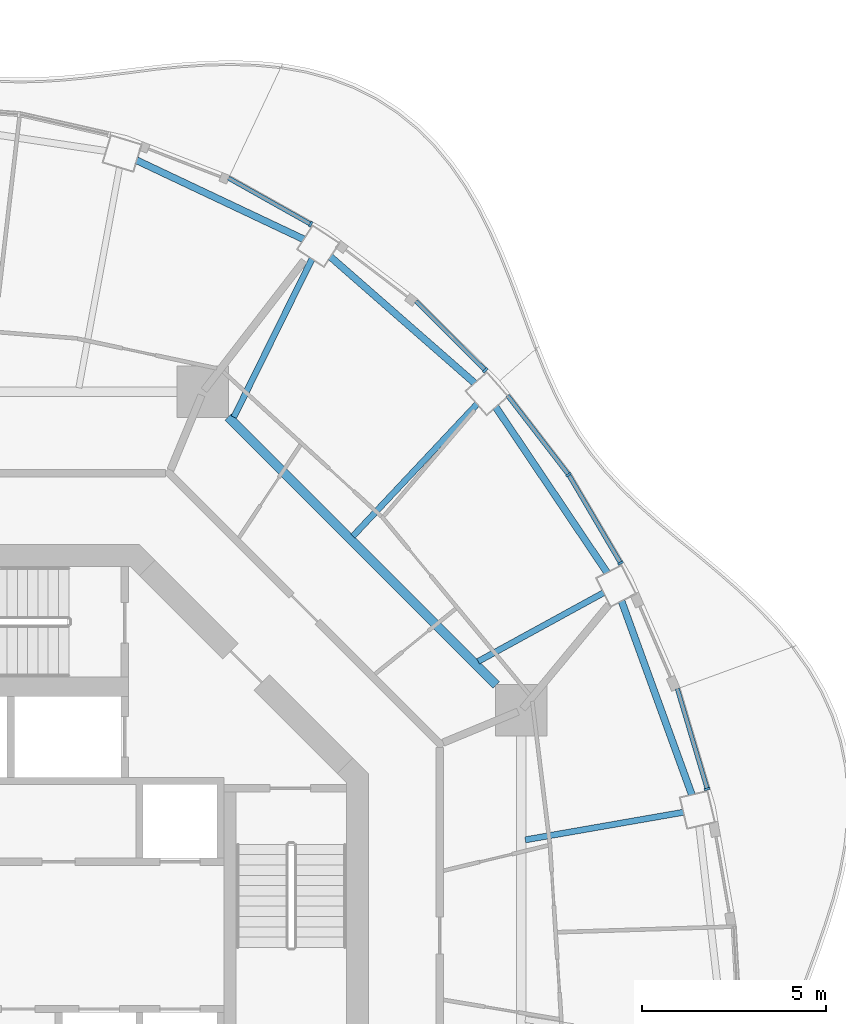
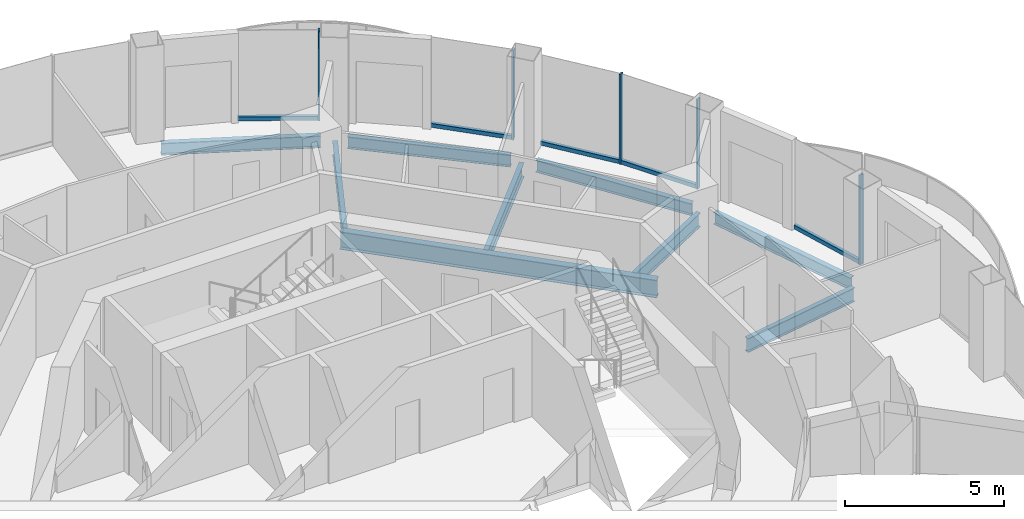
# One storey, part 7 of 18: 10 members, 9 beams, 5 elements without a shape of their own.
"""IFC4 building model written with IfcOpenShell, lengths in metres."""

from ifc_helpers import new_model, si_unit, direction, frame, origin, origin_2d, place, context, subcontext, project, spatial, rectangle, i_section, extrude, material, layer, layer_set, material_profile, profile_set, type_object, element, aggregate, save


model = new_model("IFC4")

# Units and contexts
model_context = context("Model", 3, precision=1e-05, world=origin(), true_north=direction((0.0, 1.0)))
body_context = subcontext(model_context, "Body", "Model", "MODEL_VIEW")
ifc_project = project(units=[si_unit("LENGTHUNIT", "METRE"), si_unit("AREAUNIT", "SQUARE_METRE"), si_unit("VOLUMEUNIT", "CUBIC_METRE"), si_unit("PLANEANGLEUNIT", "RADIAN"), si_unit("MASSUNIT", "GRAM", prefix="KILO")], contexts=[model_context])

# Site, building, storey
site_placement = place(None, origin())
site = spatial("IfcSite", under=ifc_project, at=site_placement, CompositionType="ELEMENT")
building_placement = place(site_placement, origin())
building = spatial("IfcBuilding", under=site, at=building_placement, Name="Nagisa Residences", CompositionType="ELEMENT")
storey_placement = place(building_placement, frame((0.0, 0.0, 284.39990234375)))
storey = spatial("IfcBuildingStorey", under=building, at=storey_placement, Name="L72", CompositionType="ELEMENT", Elevation=284.39990234375)

# Curtain wall, member
ifc_material_1 = material(Name="Concrete-coloured aluminium curtain wall system", Category="concrete")
ifc_layer = layer(ifc_material_1, 0.159912109375)
ifc_layer_set = layer_set([ifc_layer], Name="CW1 CURTAIN WALL")
curtain_wall_type = type_object("IfcCurtainWallType", Name="CW1 CURTAIN WALL", PredefinedType="NOTDEFINED", material=ifc_layer_set)
curtain_wall_1_placement = place(storey_placement, origin())
curtain_wall_1 = element("IfcCurtainWall", 1, at=curtain_wall_1_placement, inside=storey, type_object=curtain_wall_type, Name="cw:CW1:L72:02", PredefinedType="NOTDEFINED")
ifc_material_2 = material(Name="Concrete-coloured aluminium", Category="concrete")
ifc_material_profile_1 = material_profile(ifc_material_2, rectangle(XDim=0.159912109375, YDim=0.06005859375, at=origin_2d()), Name="CW1 MULLION 160x60")
ifc_profile_set_1 = profile_set([ifc_material_profile_1], Name="Concrete-coloured aluminium")
member_type_1 = type_object("IfcMemberType", Name="CW1 MULLION 160x60", PredefinedType="MULLION", material=ifc_profile_set_1)
member_1_placement = place(storey_placement, frame((19.83544921875, 3.9814453125, 0.0), z_axis=(0.0, 0.0, 1.0), x_axis=(-0.958271310082, -0.285860274038, 0.0)))
member_1 = element("IfcMember", 2, at=member_1_placement, type_object=member_type_1, Name="CW1 mullion", PredefinedType="MULLION", context=body_context, shape_type="SweptSolid", body=[
    extrude(rectangle(XDim=0.159912109375, YDim=0.06005859375, at=origin_2d()), origin(), (0.0, 0.0, 1.0), 3.440185546875),
])

curtain_wall_2_placement = place(storey_placement, origin())
curtain_wall_2 = element("IfcCurtainWall", 3, at=curtain_wall_2_placement, inside=storey, type_object=curtain_wall_type, Name="cw:CW1:L72:04", PredefinedType="NOTDEFINED")
member_2_placement = place(storey_placement, frame((17.4775390625, 10.125732421875, 0.0), z_axis=(0.0, 0.0, 1.0), x_axis=(-0.862328898214, -0.506348567002, 0.0)))
member_2 = element("IfcMember", 4, at=member_2_placement, type_object=member_type_1, Name="CW1 mullion", PredefinedType="MULLION", context=body_context, shape_type="SweptSolid", body=[
    extrude(rectangle(XDim=0.159912109375, YDim=0.06005859375, at=origin_2d()), origin(), (0.0, 0.0, 1.0), 3.440185546875),
])

curtain_wall_3_placement = place(storey_placement, origin())
curtain_wall_3 = element("IfcCurtainWall", 5, at=curtain_wall_3_placement, inside=storey, type_object=curtain_wall_type, Name="cw:CW1:L72:05", PredefinedType="NOTDEFINED")
member_3_placement = place(storey_placement, frame((16.06396484375, 12.52685546875, 0.0), z_axis=(0.0, 0.0, 1.0), x_axis=(-0.792070340816, -0.610429828235, 0.0)))
member_3 = element("IfcMember", 6, at=member_3_placement, type_object=member_type_1, Name="CW1 mullion", PredefinedType="MULLION", context=body_context, shape_type="SweptSolid", body=[
    extrude(rectangle(XDim=0.159912109375, YDim=0.06005859375, at=origin_2d()), origin(), (0.0, 0.0, 1.0), 3.440185546875),
])

curtain_wall_4_placement = place(storey_placement, origin())
curtain_wall_4 = element("IfcCurtainWall", 7, at=curtain_wall_4_placement, inside=storey, type_object=curtain_wall_type, Name="cw:CW1:L72:06", PredefinedType="NOTDEFINED")
member_4_placement = place(storey_placement, frame((13.798583984375, 15.36572265625, 0.0), z_axis=(0.0, 0.0, 1.0), x_axis=(-0.706376885714, -0.707835924016, 0.0)))
member_4 = element("IfcMember", 8, at=member_4_placement, type_object=member_type_1, Name="CW1 mullion", PredefinedType="MULLION", context=body_context, shape_type="SweptSolid", body=[
    extrude(rectangle(XDim=0.159912109375, YDim=0.06005859375, at=origin_2d()), origin(), (0.0, 0.0, 1.0), 3.440185546875),
])

curtain_wall_5_placement = place(storey_placement, origin())
curtain_wall_5 = element("IfcCurtainWall", 9, at=curtain_wall_5_placement, inside=storey, type_object=curtain_wall_type, Name="cw:CW1:L72:08", PredefinedType="NOTDEFINED")
member_5_placement = place(storey_placement, frame((9.05224609375, 19.3388671875, 0.0), z_axis=(0.0, 0.0, 1.0), x_axis=(-0.489376918501, -0.872072377523, 0.0)))
member_5 = element("IfcMember", 10, at=member_5_placement, type_object=member_type_1, Name="CW1 mullion", PredefinedType="MULLION", context=body_context, shape_type="SweptSolid", body=[
    extrude(rectangle(XDim=0.159912109375, YDim=0.06005859375, at=origin_2d()), origin(), (0.0, 0.0, 1.0), 3.440185546875),
])

# Member
ifc_material_3 = material(Name="Concrete-coloured aluminium", Category="concrete")
ifc_material_profile_2 = material_profile(ifc_material_3, rectangle(XDim=0.1201171875, YDim=0.14990234375, at=origin_2d()), Name="CW1 TRANSOM 120x150")
ifc_profile_set_2 = profile_set([ifc_material_profile_2], Name="Concrete-coloured aluminium")
member_type_2 = type_object("IfcMemberType", Name="CW1 TRANSOM 120x150", PredefinedType="USERDEFINED", material=ifc_profile_set_2)
member_6_placement = place(storey_placement, frame((19.843994140625, 3.95263671875, 0.0751953125), z_axis=(-0.285876209024, 0.9582665564, 0.0), x_axis=(-0.9582665564, -0.285876209024, 0.0)))
member_6 = element("IfcMember", 11, at=member_6_placement, type_object=member_type_2, Name="CW1 transom", ObjectType="TRANSOM", PredefinedType="USERDEFINED", context=body_context, shape_type="SweptSolid", body=[
    extrude(rectangle(XDim=0.1201171875, YDim=0.14990234375, at=origin_2d()), origin(), (0.0, 0.0, 1.0), 2.877197265625),
])

aggregate(curtain_wall_1, [member_1, member_6])

member_7_placement = place(storey_placement, frame((17.49267578125, 10.099853515625, 0.0751953125), z_axis=(-0.506371364425, 0.862315511452, 0.0), x_axis=(-0.862315511452, -0.506371364425, 0.0)))
member_7 = element("IfcMember", 12, at=member_7_placement, type_object=member_type_2, Name="CW1 transom", ObjectType="TRANSOM", PredefinedType="USERDEFINED", context=body_context, shape_type="SweptSolid", body=[
    extrude(rectangle(XDim=0.1201171875, YDim=0.14990234375, at=origin_2d()), origin(), (0.0, 0.0, 1.0), 2.79638671875),
])

aggregate(curtain_wall_2, [member_2, member_7])

member_8_placement = place(storey_placement, frame((16.082275390625, 12.5029296875, 0.0751953125), z_axis=(-0.610432336622, 0.792068407656, 0.0), x_axis=(-0.792068407656, -0.610432336622, 0.0)))
member_8 = element("IfcMember", 13, at=member_8_placement, type_object=member_type_2, Name="CW1 transom", ObjectType="TRANSOM", PredefinedType="USERDEFINED", context=body_context, shape_type="SweptSolid", body=[
    extrude(rectangle(XDim=0.1201171875, YDim=0.14990234375, at=origin_2d()), origin(), (0.0, 0.0, 1.0), 2.74609375),
])

aggregate(curtain_wall_3, [member_3, member_8])

member_9_placement = place(storey_placement, frame((13.81982421875, 15.344482421875, 0.0751953125), z_axis=(-0.707876975297, 0.706335747251, 0.0), x_axis=(-0.706335747251, -0.707876975297, 0.0)))
member_9 = element("IfcMember", 14, at=member_9_placement, type_object=member_type_2, Name="CW1 transom", ObjectType="TRANSOM", PredefinedType="USERDEFINED", context=body_context, shape_type="SweptSolid", body=[
    extrude(rectangle(XDim=0.1201171875, YDim=0.14990234375, at=origin_2d()), origin(), (0.0, 0.0, 1.0), 2.69287109375),
])

aggregate(curtain_wall_4, [member_4, member_9])

member_10_placement = place(storey_placement, frame((9.078369140625, 19.32421875, 0.0751953125), z_axis=(-0.872052877201, 0.489411666561, 0.0), x_axis=(-0.489411666561, -0.872052877201, 0.0)))
member_10 = element("IfcMember", 15, at=member_10_placement, type_object=member_type_2, Name="CW1 transom", ObjectType="TRANSOM", PredefinedType="USERDEFINED", context=body_context, shape_type="SweptSolid", body=[
    extrude(rectangle(XDim=0.1201171875, YDim=0.14990234375, at=origin_2d()), origin(), (0.0, 0.0, 1.0), 2.593017578125),
])

aggregate(curtain_wall_5, [member_5, member_10])

# Beams
ifc_material_4 = material(Name="Steel ASTM A572 Gr 50", Category="steel")
ifc_material_profile_3 = material_profile(ifc_material_4, i_section(OverallWidth=0.2529296875, OverallDepth=0.677978515625, WebThickness=0.01171875, FlangeThickness=0.016357421875, at=origin_2d()), Name="W690x125")
ifc_profile_set_3 = profile_set([ifc_material_profile_3], Name="Steel ASTM A572 Gr 50")
beam_type_1 = type_object("IfcBeamType", Name="Inner ring beam W690x125", PredefinedType="BEAM", material=ifc_profile_set_3)
beam_1_placement = place(storey_placement, frame((14.09619140625, 6.808837890625, -0.598876953125), z_axis=(-0.707106781187, 0.707106781187, 0.0), x_axis=(-0.707106781187, -0.707106781187, 0.0)))
element("IfcBeam", 16, at=beam_1_placement, inside=storey, type_object=beam_type_1, Name="beam:L72:ib1", PredefinedType="BEAM", context=body_context, shape_type="SweptSolid", body=[
    extrude(i_section(OverallWidth=0.2529296875, OverallDepth=0.677978515625, WebThickness=0.01171875, FlangeThickness=0.016357421875, at=origin_2d()), origin(), (0.0, 0.0, 1.0), 10.305908203125),
])
ifc_material_5 = material(Name="Steel ASTM A572 Gr 50", Category="steel")
ifc_material_profile_4 = material_profile(ifc_material_5, i_section(OverallWidth=0.18994140625, OverallDepth=0.45703125, WebThickness=0.009033203125, FlangeThickness=0.014404296875, at=origin_2d()), Name="W460x74")
ifc_profile_set_4 = profile_set([ifc_material_profile_4], Name="Steel ASTM A572 Gr 50")
beam_type_2 = type_object("IfcBeamType", Name="Perimeter ring beam W460x74", PredefinedType="BEAM", material=ifc_profile_set_4)
beam_2_placement = place(storey_placement, frame((19.41845703125, 3.822021484375, -0.48828125), z_axis=(-0.341211850477, 0.93998642176, 0.0), x_axis=(-0.93998642176, -0.341211850477, 0.0)))
element("IfcBeam", 17, at=beam_2_placement, inside=storey, type_object=beam_type_2, Name="beam:L72:pb02", PredefinedType="BEAM", context=body_context, shape_type="SweptSolid", body=[
    extrude(i_section(OverallWidth=0.18994140625, OverallDepth=0.45703125, WebThickness=0.009033203125, FlangeThickness=0.014404296875, at=origin_2d()), origin(), (0.0, 0.0, 1.0), 5.609619140625),
])
beam_3_placement = place(storey_placement, frame((17.11474609375, 9.862060546875, -0.48828125), z_axis=(-0.558066424866, 0.829796279479, 0.0), x_axis=(-0.829796279479, -0.558066424866, 0.0)))
element("IfcBeam", 18, at=beam_3_placement, inside=storey, type_object=beam_type_2, Name="beam:L72:pb03", PredefinedType="BEAM", context=body_context, shape_type="SweptSolid", body=[
    extrude(i_section(OverallWidth=0.18994140625, OverallDepth=0.45703125, WebThickness=0.009033203125, FlangeThickness=0.014404296875, at=origin_2d()), origin(), (0.0, 0.0, 1.0), 5.43212890625),
])
beam_4_placement = place(storey_placement, frame((13.514892578125, 15.015380859375, -0.48828125), z_axis=(-0.752385480596, 0.658723074279, 0.0), x_axis=(-0.658723074279, -0.752385480596, 0.0)))
element("IfcBeam", 19, at=beam_4_placement, inside=storey, type_object=beam_type_2, Name="beam:L72:pb04", PredefinedType="BEAM", context=body_context, shape_type="SweptSolid", body=[
    extrude(i_section(OverallWidth=0.18994140625, OverallDepth=0.45703125, WebThickness=0.009033203125, FlangeThickness=0.014404296875, at=origin_2d()), origin(), (0.0, 0.0, 1.0), 5.220947265625),
])
beam_5_placement = place(storey_placement, frame((8.8671875, 18.926513671875, -0.48828125), z_axis=(-0.904115893837, 0.427287316113, 0.0), x_axis=(-0.427287316113, -0.904115893837, 0.0)))
element("IfcBeam", 20, at=beam_5_placement, inside=storey, type_object=beam_type_2, Name="beam:L72:pb05", PredefinedType="BEAM", context=body_context, shape_type="SweptSolid", body=[
    extrude(i_section(OverallWidth=0.18994140625, OverallDepth=0.45703125, WebThickness=0.009033203125, FlangeThickness=0.014404296875, at=origin_2d()), origin(), (0.0, 0.0, 1.0), 5.031494140625),
])
ifc_material_6 = material(Name="Steel ASTM A572 Gr 50", Category="steel")
ifc_material_profile_5 = material_profile(ifc_material_6, i_section(OverallWidth=0.166015625, OverallDepth=0.534912109375, WebThickness=0.01025390625, FlangeThickness=0.0166015625, at=origin_2d()), Name="W530x85")
ifc_profile_set_5 = profile_set([ifc_material_profile_5], Name="Steel ASTM A572 Gr 50")
beam_type_3 = type_object("IfcBeamType", Name="Radial beam W530x85", PredefinedType="BEAM", material=ifc_profile_set_5)
beam_6_placement = place(storey_placement, frame((19.191162109375, 3.349365234375, -0.52734375), z_axis=(-0.985114356534, -0.171900275017, 0.0), x_axis=(0.171900275017, -0.985114356534, 0.0)))
element("IfcBeam", 21, at=beam_6_placement, inside=storey, type_object=beam_type_3, Name="beam:L72:rb02", PredefinedType="BEAM", context=body_context, shape_type="SweptSolid", body=[
    extrude(i_section(OverallWidth=0.166015625, OverallDepth=0.534912109375, WebThickness=0.01025390625, FlangeThickness=0.0166015625, at=origin_2d()), origin(), (0.0, 0.0, 1.0), 4.3671875),
])
beam_7_placement = place(storey_placement, frame((17.02294921875, 9.31982421875, -0.52734375), z_axis=(-0.877142169669, -0.480230792628, 0.0), x_axis=(0.480230792628, -0.877142169669, 0.0)))
element("IfcBeam", 22, at=beam_7_placement, inside=storey, type_object=beam_type_3, Name="beam:L72:rb03", PredefinedType="BEAM", context=body_context, shape_type="SweptSolid", body=[
    extrude(i_section(OverallWidth=0.166015625, OverallDepth=0.534912109375, WebThickness=0.01025390625, FlangeThickness=0.0166015625, at=origin_2d()), origin(), (0.0, 0.0, 1.0), 3.894287109375),
])
beam_8_placement = place(storey_placement, frame((13.579833984375, 14.451416015625, -0.52734375), z_axis=(-0.684799688268, -0.728731354442, 0.0), x_axis=(0.728731354442, -0.684799688268, 0.0)))
element("IfcBeam", 23, at=beam_8_placement, inside=storey, type_object=beam_type_3, Name="beam:L72:rb04", PredefinedType="BEAM", context=body_context, shape_type="SweptSolid", body=[
    extrude(i_section(OverallWidth=0.166015625, OverallDepth=0.534912109375, WebThickness=0.01025390625, FlangeThickness=0.0166015625, at=origin_2d()), origin(), (0.0, 0.0, 1.0), 4.934814453125),
])
beam_9_placement = place(storey_placement, frame((9.09033203125, 18.3974609375, -0.52734375), z_axis=(-0.442997846128, -0.896522675857, 0.0), x_axis=(0.896522675857, -0.442997846128, 0.0)))
element("IfcBeam", 24, at=beam_9_placement, inside=storey, type_object=beam_type_3, Name="beam:L72:rb05", PredefinedType="BEAM", context=body_context, shape_type="SweptSolid", body=[
    extrude(i_section(OverallWidth=0.166015625, OverallDepth=0.534912109375, WebThickness=0.01025390625, FlangeThickness=0.0166015625, at=origin_2d()), origin(), (0.0, 0.0, 1.0), 4.80078125),
])

save(model, "model.ifc")
